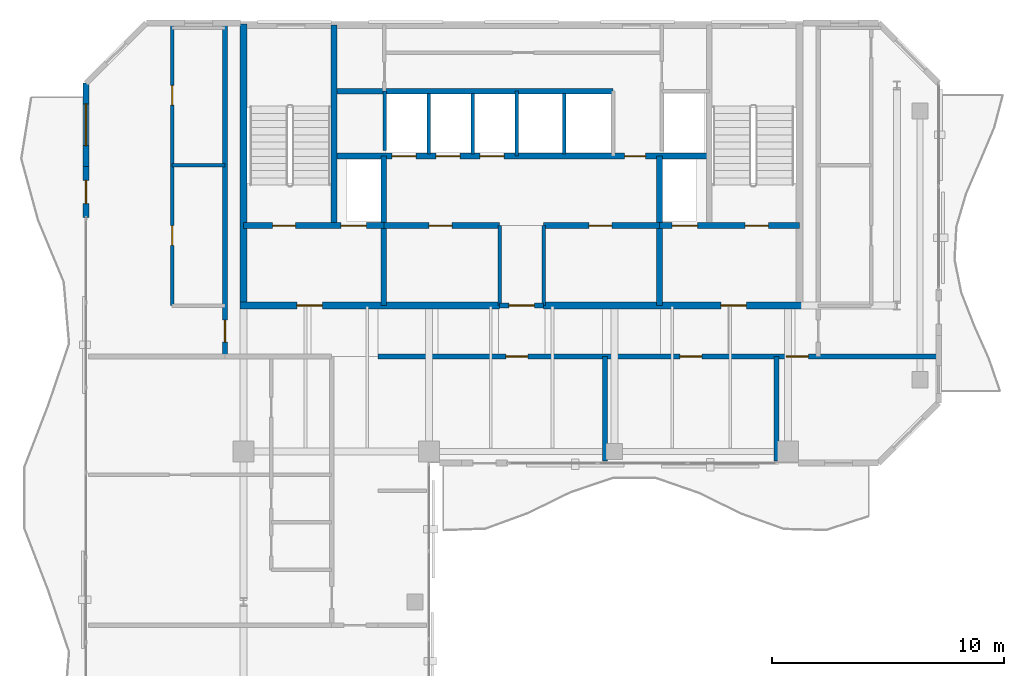
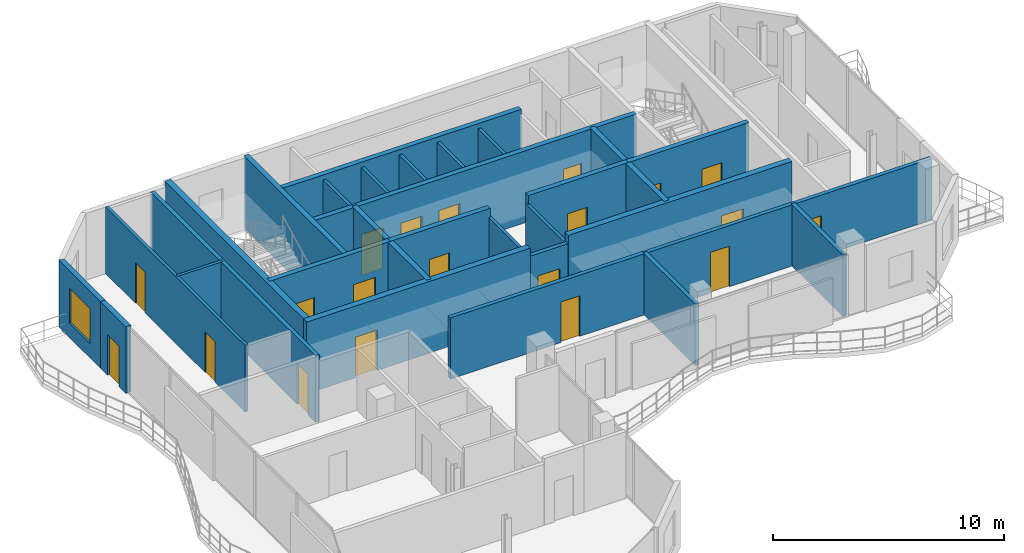
# One storey, part 13 of 17: 28 walls, 20 doors, 1 window, 21 openings.
"""IFC4 building model written with IfcOpenShell, lengths in metres."""

from ifc_helpers import new_model, si_unit, direction, frame, frame_2d, origin, place, context, subcontext, project, spatial, rectangle, extrude, material, layer, layer_set, type_object, element, fill, save


model = new_model("IFC4")

# Units and contexts
model_context = context("Model", 3, precision=1e-05, world=origin(), true_north=direction((0.0, 1.0)))
body_context = subcontext(model_context, "Body", "Model", "MODEL_VIEW")
ifc_project = project(units=[si_unit("LENGTHUNIT", "METRE"), si_unit("AREAUNIT", "SQUARE_METRE"), si_unit("VOLUMEUNIT", "CUBIC_METRE"), si_unit("PLANEANGLEUNIT", "RADIAN"), si_unit("MASSUNIT", "GRAM", prefix="KILO")], contexts=[model_context])

# Site, building, storey
site_placement = place(None, origin())
site = spatial("IfcSite", under=ifc_project, at=site_placement, CompositionType="ELEMENT")
building_placement = place(site_placement, origin())
building = spatial("IfcBuilding", under=site, at=building_placement, Name="Catumbela Crestline Tower", CompositionType="ELEMENT")
storey_placement = place(building_placement, frame((0.0, 0.0, 283.0)))
storey = spatial("IfcBuildingStorey", under=building, at=storey_placement, Name="L73", CompositionType="ELEMENT", Elevation=283.0)

# Walls
ifc_material_1 = material(Name="Concrete C50/60", Category="concrete")
ifc_layer_1 = layer(ifc_material_1, 0.25, Name="Concrete C50/60")
ifc_layer_set_1 = layer_set([ifc_layer_1], Name="Concrete C50/60")
wall_type_1 = type_object("IfcWallType", Name="CW-250D", PredefinedType="SHEAR", material=ifc_layer_set_1)
wall_1_placement = place(storey_placement, frame((19.9, 34.25, 0.0), z_axis=(0.0, 0.0, 1.0), x_axis=(0.0, 1.0, 0.0)))
element("IfcWall", 1, at=wall_1_placement, inside=storey, type_object=wall_type_1, Name="L73 Structural Core Shear Wall WWEB", PredefinedType="SHEAR", context=body_context, shape_type="SweptSolid", body=[
    extrude(rectangle(XDim=8.65, YDim=0.25, at=frame_2d((4.325, 0.0))), origin(), (0.0, 0.0, 1.0), 3.8),
])
for number, where, z_axis, x_axis, name in (
    (2, (22.05, 30.8, 0.0), (0.0, 0.0, 1.0), (0.0, 1.0, 0.0), "L73 Structural Core Shear Wall FFW"),
    (3, (33.95, 30.8, 0.0), (0.0, 0.0, 1.0), (0.0, 1.0, 0.0), "L73 Structural Core Shear Wall FFE"),
):
    element("IfcWall", number, at=place(storey_placement, frame(where, z_axis=z_axis, x_axis=x_axis)), inside=storey, type_object=wall_type_1, Name=name, PredefinedType="SHEAR", context=body_context, shape_type="SweptSolid", body=[
        extrude(rectangle(XDim=6.45, YDim=0.25, at=frame_2d((3.225, 0.0))), origin(), (0.0, 0.0, 1.0), 3.8),
    ])

# Wall, openings, doors
wall_2_placement = place(storey_placement, frame((16.0, 34.25, 0.0), z_axis=(0.0, 0.0, 1.0), x_axis=(1.0, 0.0, 0.0)))
wall_2 = element("IfcWall", 4, at=wall_2_placement, inside=storey, type_object=wall_type_1, Name="L73 Structural Core Shear Wall ST1S", PredefinedType="SHEAR", context=body_context, shape_type="SweptSolid", body=[
    extrude(rectangle(XDim=6.05, YDim=0.25, at=frame_2d((3.025, 0.0))), origin(), (0.0, 0.0, 1.0), 3.8),
])
opening_1_placement = place(wall_2_placement, frame((1.25, 0.0, 0.0)))
opening_1 = element("IfcOpeningElement", 5, at=opening_1_placement, cuts=wall_2, Name="Opening DF9-100", PredefinedType="OPENING", context=body_context, shape_type="SweptSolid", body=[
    extrude(rectangle(XDim=1.0, YDim=2.15, at=frame_2d((0.5, 1.075))), frame((0.0, 0.135, 0.0), z_axis=(0.0, -1.0, 0.0), x_axis=(1.0, 0.0, 0.0)), (0.0, 0.0, 1.0), 0.27),
])
opening_2_placement = place(wall_2_placement, frame((4.2, 0.0, 0.0)))
opening_2 = element("IfcOpeningElement", 6, at=opening_2_placement, cuts=wall_2, Name="Opening LD-110", PredefinedType="OPENING", context=body_context, shape_type="SweptSolid", body=[
    extrude(rectangle(XDim=1.1, YDim=2.15, at=frame_2d((0.55, 1.075))), frame((0.0, 0.135, 0.0), z_axis=(0.0, -1.0, 0.0), x_axis=(1.0, 0.0, 0.0)), (0.0, 0.0, 1.0), 0.27),
])
ifc_material_2 = material(Name="Stainless steel EN 1.4401", Category="steel")
door_type_1 = type_object("IfcDoorType", Name="DF9-100", OperationType="NOTDEFINED", PredefinedType="DOOR", material=ifc_material_2)
door_1_placement = place(opening_1_placement, origin())
door_1 = element("IfcDoor", 7, at=door_1_placement, inside=storey, type_object=door_type_1, Name="L73 Interior Door DR-L73-ST01", OperationType="SINGLE_SWING_LEFT", OverallHeight=2.15, OverallWidth=1.0, PredefinedType="DOOR", context=body_context, shape_type="SweptSolid", body=[
    extrude(rectangle(XDim=1.0, YDim=2.15, at=frame_2d((0.5, 1.075))), frame((0.0, 0.025, 0.0), z_axis=(0.0, -1.0, 0.0), x_axis=(1.0, 0.0, 0.0)), (0.0, 0.0, 1.0), 0.05),
])
fill(opening_1, door_1)
door_type_2 = type_object("IfcDoorType", Name="LD-110", OperationType="NOTDEFINED", PredefinedType="DOOR", material=ifc_material_2)
door_2_placement = place(opening_2_placement, origin())
door_2 = element("IfcDoor", 8, at=door_2_placement, inside=storey, type_object=door_type_2, Name="L73 Lift Landing Sliding Door FL-01", OperationType="DOUBLE_DOOR_SLIDING", OverallHeight=2.15, OverallWidth=1.1, PredefinedType="DOOR", context=body_context, shape_type="SweptSolid", body=[
    extrude(rectangle(XDim=1.1, YDim=2.15, at=frame_2d((0.55, 1.075))), frame((0.0, 0.025, 0.0), z_axis=(0.0, -1.0, 0.0), x_axis=(1.0, 0.0, 0.0)), (0.0, 0.0, 1.0), 0.05),
])
fill(opening_2, door_2)

wall_3_placement = place(storey_placement, frame((33.95, 34.25, 0.0), z_axis=(0.0, 0.0, 1.0), x_axis=(1.0, 0.0, 0.0)))
wall_3 = element("IfcWall", 9, at=wall_3_placement, inside=storey, type_object=wall_type_1, Name="L73 Structural Core Shear Wall ST2S", PredefinedType="SHEAR", context=body_context, shape_type="SweptSolid", body=[
    extrude(rectangle(XDim=6.05, YDim=0.25, at=frame_2d((3.025, 0.0))), origin(), (0.0, 0.0, 1.0), 3.8),
])
opening_3_placement = place(wall_3_placement, frame((3.7, 0.0, 0.0)))
opening_3 = element("IfcOpeningElement", 10, at=opening_3_placement, cuts=wall_3, Name="Opening DF9-100", PredefinedType="OPENING", context=body_context, shape_type="SweptSolid", body=[
    extrude(rectangle(XDim=1.0, YDim=2.15, at=frame_2d((0.5, 1.075))), frame((0.0, 0.135, 0.0), z_axis=(0.0, -1.0, 0.0), x_axis=(1.0, 0.0, 0.0)), (0.0, 0.0, 1.0), 0.27),
])
opening_4_placement = place(wall_3_placement, frame((0.55, 0.0, 0.0)))
opening_4 = element("IfcOpeningElement", 11, at=opening_4_placement, cuts=wall_3, Name="Opening LD-110", PredefinedType="OPENING", context=body_context, shape_type="SweptSolid", body=[
    extrude(rectangle(XDim=1.1, YDim=2.15, at=frame_2d((0.55, 1.075))), frame((0.0, 0.135, 0.0), z_axis=(0.0, -1.0, 0.0), x_axis=(1.0, 0.0, 0.0)), (0.0, 0.0, 1.0), 0.27),
])
door_3_placement = place(opening_3_placement, origin())
door_3 = element("IfcDoor", 12, at=door_3_placement, inside=storey, type_object=door_type_1, Name="L73 Interior Door DR-L73-ST02", OperationType="SINGLE_SWING_RIGHT", OverallHeight=2.15, OverallWidth=1.0, PredefinedType="DOOR", context=body_context, shape_type="SweptSolid", body=[
    extrude(rectangle(XDim=1.0, YDim=2.15, at=frame_2d((0.5, 1.075))), frame((0.0, 0.025, 0.0), z_axis=(0.0, -1.0, 0.0), x_axis=(1.0, 0.0, 0.0)), (0.0, 0.0, 1.0), 0.05),
])
fill(opening_3, door_3)
door_4_placement = place(opening_4_placement, origin())
door_4 = element("IfcDoor", 13, at=door_4_placement, inside=storey, type_object=door_type_2, Name="L73 Lift Landing Sliding Door FL-02", OperationType="DOUBLE_DOOR_SLIDING", OverallHeight=2.15, OverallWidth=1.1, PredefinedType="DOOR", context=body_context, shape_type="SweptSolid", body=[
    extrude(rectangle(XDim=1.1, YDim=2.15, at=frame_2d((0.55, 1.075))), frame((0.0, 0.025, 0.0), z_axis=(0.0, -1.0, 0.0), x_axis=(1.0, 0.0, 0.0)), (0.0, 0.0, 1.0), 0.05),
])
fill(opening_4, door_4)

# Wall, opening, door
wall_4_placement = place(storey_placement, frame((22.05, 34.25, 0.0), z_axis=(0.0, 0.0, 1.0), x_axis=(1.0, 0.0, 0.0)))
wall_4 = element("IfcWall", 14, at=wall_4_placement, inside=storey, type_object=wall_type_1, Name="L73 Structural Core Shear Wall LIFTS-W", PredefinedType="SHEAR", context=body_context, shape_type="SweptSolid", body=[
    extrude(rectangle(XDim=5.0, YDim=0.25, at=frame_2d((2.5, 0.0))), origin(), (0.0, 0.0, 1.0), 3.8),
])
opening_5_placement = place(wall_4_placement, frame((1.95, 0.0, 0.0)))
opening_5 = element("IfcOpeningElement", 15, at=opening_5_placement, cuts=wall_4, Name="Opening DF9-100", PredefinedType="OPENING", context=body_context, shape_type="SweptSolid", body=[
    extrude(rectangle(XDim=1.0, YDim=2.15, at=frame_2d((0.5, 1.075))), frame((0.0, 0.135, 0.0), z_axis=(0.0, -1.0, 0.0), x_axis=(1.0, 0.0, 0.0)), (0.0, 0.0, 1.0), 0.27),
])
door_5_placement = place(opening_5_placement, origin())
door_5 = element("IfcDoor", 16, at=door_5_placement, inside=storey, type_object=door_type_1, Name="L73 Interior Door DR-L73-RECL1", OperationType="SINGLE_SWING_LEFT", OverallHeight=2.15, OverallWidth=1.0, PredefinedType="DOOR", context=body_context, shape_type="SweptSolid", body=[
    extrude(rectangle(XDim=1.0, YDim=2.15, at=frame_2d((0.5, 1.075))), frame((0.0, 0.025, 0.0), z_axis=(0.0, -1.0, 0.0), x_axis=(1.0, 0.0, 0.0)), (0.0, 0.0, 1.0), 0.05),
])
fill(opening_5, door_5)

wall_5_placement = place(storey_placement, frame((28.95, 34.25, 0.0), z_axis=(0.0, 0.0, 1.0), x_axis=(1.0, 0.0, 0.0)))
wall_5 = element("IfcWall", 17, at=wall_5_placement, inside=storey, type_object=wall_type_1, Name="L73 Structural Core Shear Wall LIFTS-E", PredefinedType="SHEAR", context=body_context, shape_type="SweptSolid", body=[
    extrude(rectangle(XDim=5.0, YDim=0.25, at=frame_2d((2.5, 0.0))), origin(), (0.0, 0.0, 1.0), 3.8),
])
opening_6_placement = place(wall_5_placement, frame((1.95, 0.0, 0.0)))
opening_6 = element("IfcOpeningElement", 18, at=opening_6_placement, cuts=wall_5, Name="Opening DF9-100", PredefinedType="OPENING", context=body_context, shape_type="SweptSolid", body=[
    extrude(rectangle(XDim=1.0, YDim=2.15, at=frame_2d((0.5, 1.075))), frame((0.0, 0.135, 0.0), z_axis=(0.0, -1.0, 0.0), x_axis=(1.0, 0.0, 0.0)), (0.0, 0.0, 1.0), 0.27),
])
door_6_placement = place(opening_6_placement, origin())
door_6 = element("IfcDoor", 19, at=door_6_placement, inside=storey, type_object=door_type_1, Name="L73 Interior Door DR-L73-RECL2", OperationType="SINGLE_SWING_RIGHT", OverallHeight=2.15, OverallWidth=1.0, PredefinedType="DOOR", context=body_context, shape_type="SweptSolid", body=[
    extrude(rectangle(XDim=1.0, YDim=2.15, at=frame_2d((0.5, 1.075))), frame((0.0, 0.025, 0.0), z_axis=(0.0, -1.0, 0.0), x_axis=(1.0, 0.0, 0.0)), (0.0, 0.0, 1.0), 0.05),
])
fill(opening_6, door_6)

# Wall, openings, doors
wall_6_placement = place(storey_placement, frame((19.9, 37.25, 0.0), z_axis=(0.0, 0.0, 1.0), x_axis=(1.0, 0.0, 0.0)))
wall_6 = element("IfcWall", 20, at=wall_6_placement, inside=storey, type_object=wall_type_1, Name="L73 Structural Core Shear Wall LIFTN", PredefinedType="SHEAR", context=body_context, shape_type="SweptSolid", body=[
    extrude(rectangle(XDim=16.2, YDim=0.25, at=frame_2d((8.1, 0.0))), origin(), (0.0, 0.0, 1.0), 3.8),
])
opening_7_placement = place(wall_6_placement, frame((12.55, 0.0, 0.0)))
opening_7 = element("IfcOpeningElement", 21, at=opening_7_placement, cuts=wall_6, Name="Opening DF9-090", PredefinedType="OPENING", context=body_context, shape_type="SweptSolid", body=[
    extrude(rectangle(XDim=0.9, YDim=2.15, at=frame_2d((0.45, 1.075))), frame((0.0, 0.135, 0.0), z_axis=(0.0, -1.0, 0.0), x_axis=(1.0, 0.0, 0.0)), (0.0, 0.0, 1.0), 0.27),
])
opening_8_placement = place(wall_6_placement, frame((2.5, 0.0, 0.0)))
opening_8 = element("IfcOpeningElement", 22, at=opening_8_placement, cuts=wall_6, Name="Opening LD-105", PredefinedType="OPENING", context=body_context, shape_type="SweptSolid", body=[
    extrude(rectangle(XDim=1.05, YDim=2.15, at=frame_2d((0.525, 1.075))), frame((0.0, 0.135, 0.0), z_axis=(0.0, -1.0, 0.0), x_axis=(1.0, 0.0, 0.0)), (0.0, 0.0, 1.0), 0.27),
])
opening_9_placement = place(wall_6_placement, frame((4.4, 0.0, 0.0)))
opening_9 = element("IfcOpeningElement", 23, at=opening_9_placement, cuts=wall_6, Name="Opening LD-105", PredefinedType="OPENING", context=body_context, shape_type="SweptSolid", body=[
    extrude(rectangle(XDim=1.05, YDim=2.15, at=frame_2d((0.525, 1.075))), frame((0.0, 0.135, 0.0), z_axis=(0.0, -1.0, 0.0), x_axis=(1.0, 0.0, 0.0)), (0.0, 0.0, 1.0), 0.27),
])
opening_10_placement = place(wall_6_placement, frame((6.3, 0.0, 0.0)))
opening_10 = element("IfcOpeningElement", 24, at=opening_10_placement, cuts=wall_6, Name="Opening LD-105", PredefinedType="OPENING", context=body_context, shape_type="SweptSolid", body=[
    extrude(rectangle(XDim=1.05, YDim=2.15, at=frame_2d((0.525, 1.075))), frame((0.0, 0.135, 0.0), z_axis=(0.0, -1.0, 0.0), x_axis=(1.0, 0.0, 0.0)), (0.0, 0.0, 1.0), 0.27),
])
door_type_3 = type_object("IfcDoorType", Name="DF9-090", OperationType="NOTDEFINED", PredefinedType="DOOR", material=ifc_material_2)
door_7_placement = place(opening_7_placement, origin())
door_7 = element("IfcDoor", 25, at=door_7_placement, inside=storey, type_object=door_type_3, Name="L73 Interior Door DR-L73-CPAS1", OperationType="SINGLE_SWING_LEFT", OverallHeight=2.15, OverallWidth=0.9, PredefinedType="DOOR", context=body_context, shape_type="SweptSolid", body=[
    extrude(rectangle(XDim=0.9, YDim=2.15, at=frame_2d((0.45, 1.075))), frame((0.0, 0.025, 0.0), z_axis=(0.0, -1.0, 0.0), x_axis=(1.0, 0.0, 0.0)), (0.0, 0.0, 1.0), 0.05),
])
fill(opening_7, door_7)
door_type_4 = type_object("IfcDoorType", Name="LD-105", OperationType="NOTDEFINED", PredefinedType="DOOR", material=ifc_material_2)
door_8_placement = place(opening_8_placement, origin())
door_8 = element("IfcDoor", 26, at=door_8_placement, inside=storey, type_object=door_type_4, Name="L73 Lift Landing Sliding Door PL-H1", OperationType="DOUBLE_DOOR_SLIDING", OverallHeight=2.15, OverallWidth=1.05, PredefinedType="DOOR", context=body_context, shape_type="SweptSolid", body=[
    extrude(rectangle(XDim=1.05, YDim=2.15, at=frame_2d((0.525, 1.075))), frame((0.0, 0.025, 0.0), z_axis=(0.0, -1.0, 0.0), x_axis=(1.0, 0.0, 0.0)), (0.0, 0.0, 1.0), 0.05),
])
fill(opening_8, door_8)
door_9_placement = place(opening_9_placement, origin())
door_9 = element("IfcDoor", 27, at=door_9_placement, inside=storey, type_object=door_type_4, Name="L73 Lift Landing Sliding Door PL-H2", OperationType="DOUBLE_DOOR_SLIDING", OverallHeight=2.15, OverallWidth=1.05, PredefinedType="DOOR", context=body_context, shape_type="SweptSolid", body=[
    extrude(rectangle(XDim=1.05, YDim=2.15, at=frame_2d((0.525, 1.075))), frame((0.0, 0.025, 0.0), z_axis=(0.0, -1.0, 0.0), x_axis=(1.0, 0.0, 0.0)), (0.0, 0.0, 1.0), 0.05),
])
fill(opening_9, door_9)
door_10_placement = place(opening_10_placement, origin())
door_10 = element("IfcDoor", 28, at=door_10_placement, inside=storey, type_object=door_type_4, Name="L73 Lift Landing Sliding Door PL-H3", OperationType="DOUBLE_DOOR_SLIDING", OverallHeight=2.15, OverallWidth=1.05, PredefinedType="DOOR", context=body_context, shape_type="SweptSolid", body=[
    extrude(rectangle(XDim=1.05, YDim=2.15, at=frame_2d((0.525, 1.075))), frame((0.0, 0.025, 0.0), z_axis=(0.0, -1.0, 0.0), x_axis=(1.0, 0.0, 0.0)), (0.0, 0.0, 1.0), 0.05),
])
fill(opening_10, door_10)

# Walls
wall_7_placement = place(storey_placement, frame((19.9, 40.05, 0.0), z_axis=(0.0, 0.0, 1.0), x_axis=(1.0, 0.0, 0.0)))
element("IfcWall", 29, at=wall_7_placement, inside=storey, type_object=wall_type_1, Name="L73 Structural Core Shear Wall COREN", PredefinedType="SHEAR", context=body_context, shape_type="SweptSolid", body=[
    extrude(rectangle(XDim=12.05, YDim=0.25, at=frame_2d((6.025, 0.0))), origin(), (0.0, 0.0, 1.0), 3.8),
])
ifc_material_3 = material(Name="Concrete C45/55", Category="concrete")
ifc_layer_2 = layer(ifc_material_3, 0.3, Name="Concrete C45/55")
ifc_layer_set_2 = layer_set([ifc_layer_2], Name="Concrete C45/55")
wall_type_2 = type_object("IfcWallType", Name="CW-300C", PredefinedType="SHEAR", material=ifc_layer_set_2)
wall_8_placement = place(storey_placement, frame((16.0, 30.65, 0.0), z_axis=(0.0, 0.0, 1.0), x_axis=(0.0, 1.0, 0.0)))
element("IfcWall", 30, at=wall_8_placement, inside=storey, type_object=wall_type_2, Name="L73 Structural Core Shear Wall W", PredefinedType="SHEAR", context=body_context, shape_type="SweptSolid", body=[
    extrude(rectangle(XDim=12.3, YDim=0.3, at=frame_2d((6.15, 0.0))), origin(), (0.0, 0.0, 1.0), 3.8),
])

# Wall, opening, door
wall_9_placement = place(storey_placement, frame((15.85, 30.8, 0.0), z_axis=(0.0, 0.0, 1.0), x_axis=(1.0, 0.0, 0.0)))
wall_9 = element("IfcWall", 31, at=wall_9_placement, inside=storey, type_object=wall_type_2, Name="L73 Structural Core Shear Wall SW", PredefinedType="SHEAR", context=body_context, shape_type="SweptSolid", body=[
    extrude(rectangle(XDim=11.2, YDim=0.3, at=frame_2d((5.6, 0.0))), origin(), (0.0, 0.0, 1.0), 3.8),
])
opening_11_placement = place(wall_9_placement, frame((2.45, 0.0, 0.0)))
opening_11 = element("IfcOpeningElement", 32, at=opening_11_placement, cuts=wall_9, Name="Opening DF9-110", PredefinedType="OPENING", context=body_context, shape_type="SweptSolid", body=[
    extrude(rectangle(XDim=1.1, YDim=2.15, at=frame_2d((0.55, 1.075))), frame((0.0, 0.16, 0.0), z_axis=(0.0, -1.0, 0.0), x_axis=(1.0, 0.0, 0.0)), (0.0, 0.0, 1.0), 0.32),
])
door_type_5 = type_object("IfcDoorType", Name="DF9-110", OperationType="NOTDEFINED", PredefinedType="DOOR", material=ifc_material_2)
door_11_placement = place(opening_11_placement, origin())
door_11 = element("IfcDoor", 33, at=door_11_placement, inside=storey, type_object=door_type_5, Name="L73 Interior Door DR-L73-FFW-S", OperationType="SINGLE_SWING_LEFT", OverallHeight=2.15, OverallWidth=1.1, PredefinedType="DOOR", context=body_context, shape_type="SweptSolid", body=[
    extrude(rectangle(XDim=1.1, YDim=2.15, at=frame_2d((0.55, 1.075))), frame((0.0, 0.025, 0.0), z_axis=(0.0, -1.0, 0.0), x_axis=(1.0, 0.0, 0.0)), (0.0, 0.0, 1.0), 0.05),
])
fill(opening_11, door_11)

wall_10_placement = place(storey_placement, frame((28.95, 30.8, 0.0), z_axis=(0.0, 0.0, 1.0), x_axis=(1.0, 0.0, 0.0)))
wall_10 = element("IfcWall", 34, at=wall_10_placement, inside=storey, type_object=wall_type_2, Name="L73 Structural Core Shear Wall SE", PredefinedType="SHEAR", context=body_context, shape_type="SweptSolid", body=[
    extrude(rectangle(XDim=11.2, YDim=0.3, at=frame_2d((5.6, 0.0))), origin(), (0.0, 0.0, 1.0), 3.8),
])
opening_12_placement = place(wall_10_placement, frame((7.65, 0.0, 0.0)))
opening_12 = element("IfcOpeningElement", 35, at=opening_12_placement, cuts=wall_10, Name="Opening DF9-110", PredefinedType="OPENING", context=body_context, shape_type="SweptSolid", body=[
    extrude(rectangle(XDim=1.1, YDim=2.15, at=frame_2d((0.55, 1.075))), frame((0.0, 0.16, 0.0), z_axis=(0.0, -1.0, 0.0), x_axis=(1.0, 0.0, 0.0)), (0.0, 0.0, 1.0), 0.32),
])
door_12_placement = place(opening_12_placement, origin())
door_12 = element("IfcDoor", 36, at=door_12_placement, inside=storey, type_object=door_type_5, Name="L73 Interior Door DR-L73-FFE-S", OperationType="SINGLE_SWING_RIGHT", OverallHeight=2.15, OverallWidth=1.1, PredefinedType="DOOR", context=body_context, shape_type="SweptSolid", body=[
    extrude(rectangle(XDim=1.1, YDim=2.15, at=frame_2d((0.55, 1.075))), frame((0.0, 0.025, 0.0), z_axis=(0.0, -1.0, 0.0), x_axis=(1.0, 0.0, 0.0)), (0.0, 0.0, 1.0), 0.05),
])
fill(opening_12, door_12)

ifc_material_4 = material(Name="Acoustic gypsum and mineral-wool partition")
ifc_layer_3 = layer(ifc_material_4, 0.2, Name="Acoustic gypsum and mineral-wool partition")
ifc_layer_set_3 = layer_set([ifc_layer_3], Name="Acoustic gypsum and mineral-wool partition")
wall_type_3 = type_object("IfcWallType", Name="WC-200", PredefinedType="PARTITIONING", material=ifc_layer_set_3)
wall_11_placement = place(storey_placement, frame((27.05, 30.8, 0.0), z_axis=(0.0, 0.0, 1.0), x_axis=(1.0, 0.0, 0.0)))
wall_11 = element("IfcWall", 37, at=wall_11_placement, inside=storey, type_object=wall_type_3, Name="L73 Interior Partition PW-L73-CLOBS", PredefinedType="PARTITIONING", context=body_context, shape_type="SweptSolid", body=[
    extrude(rectangle(XDim=1.9, YDim=0.2, at=frame_2d((0.95, 0.0))), origin(), (0.0, 0.0, 1.0), 3.33),
])
opening_13_placement = place(wall_11_placement, frame((0.4, 0.0, 0.0)))
opening_13 = element("IfcOpeningElement", 38, at=opening_13_placement, cuts=wall_11, Name="Opening DF9-110", PredefinedType="OPENING", context=body_context, shape_type="SweptSolid", body=[
    extrude(rectangle(XDim=1.1, YDim=2.15, at=frame_2d((0.55, 1.075))), frame((0.0, 0.11, 0.0), z_axis=(0.0, -1.0, 0.0), x_axis=(1.0, 0.0, 0.0)), (0.0, 0.0, 1.0), 0.22),
])
door_13_placement = place(opening_13_placement, origin())
door_13 = element("IfcDoor", 39, at=door_13_placement, inside=storey, type_object=door_type_5, Name="L73 Interior Door DR-L73-CLOBS", OperationType="SINGLE_SWING_LEFT", OverallHeight=2.15, OverallWidth=1.1, PredefinedType="DOOR", context=body_context, shape_type="SweptSolid", body=[
    extrude(rectangle(XDim=1.1, YDim=2.15, at=frame_2d((0.55, 1.075))), frame((0.0, 0.025, 0.0), z_axis=(0.0, -1.0, 0.0), x_axis=(1.0, 0.0, 0.0)), (0.0, 0.0, 1.0), 0.05),
])
fill(opening_13, door_13)

# Wall, openings, doors
wall_12_placement = place(storey_placement, frame((21.8, 28.6, 0.0), z_axis=(0.0, 0.0, 1.0), x_axis=(1.0, 0.0, 0.0)))
wall_12 = element("IfcWall", 40, at=wall_12_placement, inside=storey, type_object=wall_type_3, Name="L73 Interior Partition PW-L73-RCWR", PredefinedType="PARTITIONING", context=body_context, shape_type="SweptSolid", body=[
    extrude(rectangle(XDim=24.1, YDim=0.2, at=frame_2d((12.05, 0.0))), origin(), (0.0, 0.0, 1.0), 3.24),
])
opening_14_placement = place(wall_12_placement, frame((5.525, 0.0, 0.0)))
opening_14 = element("IfcOpeningElement", 41, at=opening_14_placement, cuts=wall_12, Name="Opening DF6-095", PredefinedType="OPENING", context=body_context, shape_type="SweptSolid", body=[
    extrude(rectangle(XDim=0.95, YDim=2.15, at=frame_2d((0.475, 1.075))), frame((0.0, 0.11, 0.0), z_axis=(0.0, -1.0, 0.0), x_axis=(1.0, 0.0, 0.0)), (0.0, 0.0, 1.0), 0.22),
])
opening_15_placement = place(wall_12_placement, frame((13.025, 0.0, 0.0)))
opening_15 = element("IfcOpeningElement", 42, at=opening_15_placement, cuts=wall_12, Name="Opening DF6-095", PredefinedType="OPENING", context=body_context, shape_type="SweptSolid", body=[
    extrude(rectangle(XDim=0.95, YDim=2.15, at=frame_2d((0.475, 1.075))), frame((0.0, 0.11, 0.0), z_axis=(0.0, -1.0, 0.0), x_axis=(1.0, 0.0, 0.0)), (0.0, 0.0, 1.0), 0.22),
])
opening_16_placement = place(wall_12_placement, frame((17.625, 0.0, 0.0)))
opening_16 = element("IfcOpeningElement", 43, at=opening_16_placement, cuts=wall_12, Name="Opening DF6-095", PredefinedType="OPENING", context=body_context, shape_type="SweptSolid", body=[
    extrude(rectangle(XDim=0.95, YDim=2.15, at=frame_2d((0.475, 1.075))), frame((0.0, 0.11, 0.0), z_axis=(0.0, -1.0, 0.0), x_axis=(1.0, 0.0, 0.0)), (0.0, 0.0, 1.0), 0.22),
])
ifc_material_5 = material(Name="Aluminium alloy AW-6060-T66", Category="aluminium")
door_type_6 = type_object("IfcDoorType", Name="DF6-095", OperationType="NOTDEFINED", PredefinedType="DOOR", material=ifc_material_5)
door_14_placement = place(opening_14_placement, origin())
door_14 = element("IfcDoor", 44, at=door_14_placement, inside=storey, type_object=door_type_6, Name="L73 Interior Door DR-L73-Z4G6S1-ENT", OperationType="SINGLE_SWING_RIGHT", OverallHeight=2.15, OverallWidth=0.95, PredefinedType="DOOR", context=body_context, shape_type="SweptSolid", body=[
    extrude(rectangle(XDim=0.95, YDim=2.15, at=frame_2d((0.475, 1.075))), frame((0.0, 0.025, 0.0), z_axis=(0.0, -1.0, 0.0), x_axis=(1.0, 0.0, 0.0)), (0.0, 0.0, 1.0), 0.05),
])
fill(opening_14, door_14)
door_15_placement = place(opening_15_placement, origin())
door_15 = element("IfcDoor", 45, at=door_15_placement, inside=storey, type_object=door_type_6, Name="L73 Interior Door DR-L73-Z4G6S2-ENT", OperationType="SINGLE_SWING_LEFT", OverallHeight=2.15, OverallWidth=0.95, PredefinedType="DOOR", context=body_context, shape_type="SweptSolid", body=[
    extrude(rectangle(XDim=0.95, YDim=2.15, at=frame_2d((0.475, 1.075))), frame((0.0, 0.025, 0.0), z_axis=(0.0, -1.0, 0.0), x_axis=(1.0, 0.0, 0.0)), (0.0, 0.0, 1.0), 0.05),
])
fill(opening_15, door_15)
door_16_placement = place(opening_16_placement, origin())
door_16 = element("IfcDoor", 46, at=door_16_placement, inside=storey, type_object=door_type_6, Name="L73 Interior Door DR-L73-Z4G6S3-ENT", OperationType="SINGLE_SWING_RIGHT", OverallHeight=2.15, OverallWidth=0.95, PredefinedType="DOOR", context=body_context, shape_type="SweptSolid", body=[
    extrude(rectangle(XDim=0.95, YDim=2.15, at=frame_2d((0.475, 1.075))), frame((0.0, 0.025, 0.0), z_axis=(0.0, -1.0, 0.0), x_axis=(1.0, 0.0, 0.0)), (0.0, 0.0, 1.0), 0.05),
])
fill(opening_16, door_16)

# Wall, opening, door
wall_13_placement = place(storey_placement, frame((15.2, 28.6, 0.0), z_axis=(0.0, 0.0, 1.0), x_axis=(0.0, 1.0, 0.0)))
wall_13 = element("IfcWall", 47, at=wall_13_placement, inside=storey, type_object=wall_type_3, Name="L73 Interior Partition PW-L73-NW1-ENT", PredefinedType="PARTITIONING", context=body_context, shape_type="SweptSolid", body=[
    extrude(rectangle(XDim=14.3, YDim=0.2, at=frame_2d((7.15, 0.0))), origin(), (0.0, 0.0, 1.0), 3.53),
])
opening_17_placement = place(wall_13_placement, frame((0.625, 0.0, 0.0)))
opening_17 = element("IfcOpeningElement", 48, at=opening_17_placement, cuts=wall_13, Name="Opening DF6-095", PredefinedType="OPENING", context=body_context, shape_type="SweptSolid", body=[
    extrude(rectangle(XDim=0.95, YDim=2.15, at=frame_2d((0.475, 1.075))), frame((0.0, 0.11, 0.0), z_axis=(0.0, -1.0, 0.0), x_axis=(1.0, 0.0, 0.0)), (0.0, 0.0, 1.0), 0.22),
])
door_17_placement = place(opening_17_placement, origin())
door_17 = element("IfcDoor", 49, at=door_17_placement, inside=storey, type_object=door_type_6, Name="L73 Interior Door DR-L73-NW1-ENT", OperationType="SINGLE_SWING_LEFT", OverallHeight=2.15, OverallWidth=0.95, PredefinedType="DOOR", context=body_context, shape_type="SweptSolid", body=[
    extrude(rectangle(XDim=0.95, YDim=2.15, at=frame_2d((0.475, 1.075))), frame((0.0, 0.025, 0.0), z_axis=(0.0, -1.0, 0.0), x_axis=(1.0, 0.0, 0.0)), (0.0, 0.0, 1.0), 0.05),
])
fill(opening_17, door_17)

ifc_material_6 = material(Name="Angolan grey-ochre granite", Category="masonry")
ifc_layer_4 = layer(ifc_material_6, 0.25, Name="Angolan grey-ochre granite")
ifc_layer_set_4 = layer_set([ifc_layer_4], Name="Angolan grey-ochre granite")
wall_type_4 = type_object("IfcWallType", Name="WE-250", PredefinedType="STANDARD", material=ifc_layer_set_4)
wall_14_placement = place(storey_placement, frame((9.2, 36.8, 0.0), z_axis=(0.0, 0.0, 1.0), x_axis=(0.0, -1.0, 0.0)))
wall_14 = element("IfcWall", 50, at=wall_14_placement, inside=storey, type_object=wall_type_4, Name="L73 Exterior Threshold Portal Wall DR-L73-WBAL-4", PredefinedType="STANDARD", context=body_context, shape_type="SweptSolid", body=[
    extrude(rectangle(XDim=2.2, YDim=0.25, at=frame_2d((1.1, 0.0))), origin(), (0.0, 0.0, 1.0), 3.53),
])
opening_18_placement = place(wall_14_placement, frame((0.6, 0.0, 0.0)))
opening_18 = element("IfcOpeningElement", 51, at=opening_18_placement, cuts=wall_14, Name="Opening DB-L73-4", PredefinedType="OPENING", context=body_context, shape_type="SweptSolid", body=[
    extrude(rectangle(XDim=1.0, YDim=2.15, at=frame_2d((0.5, 1.075))), frame((0.0, 0.135, 0.0), z_axis=(0.0, -1.0, 0.0), x_axis=(1.0, 0.0, 0.0)), (0.0, 0.0, 1.0), 0.27),
])
door_type_7 = type_object("IfcDoorType", Name="DB-1000", OperationType="NOTDEFINED", PredefinedType="DOOR", material=ifc_material_5)
door_18_placement = place(opening_18_placement, origin())
door_18 = element("IfcDoor", 52, at=door_18_placement, inside=storey, type_object=door_type_7, Name="L73 Wave Balcony Terrace Door 4", OperationType="SINGLE_SWING_RIGHT", OverallHeight=2.15, OverallWidth=1.0, PredefinedType="DOOR", context=body_context, shape_type="SweptSolid", body=[
    extrude(rectangle(XDim=1.0, YDim=2.15, at=frame_2d((0.5, 1.075))), frame((0.0, 0.025, 0.0), z_axis=(0.0, -1.0, 0.0), x_axis=(1.0, 0.0, 0.0)), (0.0, 0.0, 1.0), 0.05),
])
fill(opening_18, door_18)

# Wall, opening, window
wall_15_placement = place(storey_placement, frame((9.2, 40.4, 0.0), z_axis=(0.0, 0.0, 1.0), x_axis=(0.0, -1.0, 0.0)))
wall_15 = element("IfcWall", 53, at=wall_15_placement, inside=storey, type_object=wall_type_4, Name="L73 Granite Punched Window Wall 9-1", PredefinedType="STANDARD", context=body_context, shape_type="SweptSolid", body=[
    extrude(rectangle(XDim=3.6, YDim=0.25, at=frame_2d((1.8, 0.0))), origin(), (0.0, 0.0, 1.0), 3.53),
])
opening_19_placement = place(wall_15_placement, frame((0.9, 0.0, 0.75)))
opening_19 = element("IfcOpeningElement", 54, at=opening_19_placement, cuts=wall_15, Name="Opening WN-01", PredefinedType="OPENING", context=body_context, shape_type="SweptSolid", body=[
    extrude(rectangle(XDim=1.8, YDim=1.85, at=frame_2d((0.9, 0.925))), frame((0.0, 0.135, 0.0), z_axis=(0.0, -1.0, 0.0), x_axis=(1.0, 0.0, 0.0)), (0.0, 0.0, 1.0), 0.27),
])
ifc_material_7 = material(Name="Low-E laminated solar-control double glazing", Category="glass")
window_type = type_object("IfcWindowType", Name="WF-1800", PartitioningType="SINGLE_PANEL", PredefinedType="WINDOW", material=ifc_material_7)
window_placement = place(opening_19_placement, origin())
window = element("IfcWindow", 55, at=window_placement, inside=storey, type_object=window_type, Name="L73 Facade Vision Window 599", OverallHeight=1.85, OverallWidth=1.8, PartitioningType="SINGLE_PANEL", PredefinedType="WINDOW", context=body_context, shape_type="SweptSolid", body=[
    extrude(rectangle(XDim=1.8, YDim=1.85, at=frame_2d((0.9, 0.925))), frame((0.0, 0.03, 0.0), z_axis=(0.0, -1.0, 0.0), x_axis=(1.0, 0.0, 0.0)), (0.0, 0.0, 1.0), 0.06),
])
fill(opening_19, window)

# Wall
ifc_layer_5 = layer(ifc_material_4, 0.15, Name="Acoustic gypsum and mineral-wool partition")
ifc_layer_set_5 = layer_set([ifc_layer_5], Name="Acoustic gypsum and mineral-wool partition")
wall_type_5 = type_object("IfcWallType", Name="WP-150", PredefinedType="PARTITIONING", material=ifc_layer_set_5)
wall_16_placement = place(storey_placement, frame((12.92, 36.85, 0.0), z_axis=(0.0, 0.0, 1.0), x_axis=(1.0, 0.0, 0.0)))
element("IfcWall", 56, at=wall_16_placement, inside=storey, type_object=wall_type_5, Name="L73 Interior Partition PW-L73-NW1-KBM", PredefinedType="PARTITIONING", context=body_context, shape_type="SweptSolid", body=[
    extrude(rectangle(XDim=2.28, YDim=0.15, at=frame_2d((1.14, 0.0))), origin(), (0.0, 0.0, 1.0), 3.53),
])

# Wall, openings, doors
wall_17_placement = place(storey_placement, frame((12.92, 30.8, 0.0), z_axis=(0.0, 0.0, 1.0), x_axis=(0.0, 1.0, 0.0)))
wall_17 = element("IfcWall", 57, at=wall_17_placement, inside=storey, type_object=wall_type_5, Name="L73 Interior Partition PW-L73-NW1-SK1", PredefinedType="PARTITIONING", context=body_context, shape_type="SweptSolid", body=[
    extrude(rectangle(XDim=12.1, YDim=0.15, at=frame_2d((6.05, 0.0))), origin(), (0.0, 0.0, 1.0), 3.53),
])
opening_20_placement = place(wall_17_placement, frame((2.6, 0.0, 0.0)))
opening_20 = element("IfcOpeningElement", 58, at=opening_20_placement, cuts=wall_17, Name="Opening DI-085", PredefinedType="OPENING", context=body_context, shape_type="SweptSolid", body=[
    extrude(rectangle(XDim=0.85, YDim=2.15, at=frame_2d((0.425, 1.075))), frame((0.0, 0.085, 0.0), z_axis=(0.0, -1.0, 0.0), x_axis=(1.0, 0.0, 0.0)), (0.0, 0.0, 1.0), 0.17),
])
opening_21_placement = place(wall_17_placement, frame((8.65, 0.0, 0.0)))
opening_21 = element("IfcOpeningElement", 59, at=opening_21_placement, cuts=wall_17, Name="Opening DI-085", PredefinedType="OPENING", context=body_context, shape_type="SweptSolid", body=[
    extrude(rectangle(XDim=0.85, YDim=2.15, at=frame_2d((0.425, 1.075))), frame((0.0, 0.085, 0.0), z_axis=(0.0, -1.0, 0.0), x_axis=(1.0, 0.0, 0.0)), (0.0, 0.0, 1.0), 0.17),
])
door_type_8 = type_object("IfcDoorType", Name="DI-085", OperationType="NOTDEFINED", PredefinedType="DOOR", material=ifc_material_5)
door_19_placement = place(opening_20_placement, origin())
door_19 = element("IfcDoor", 60, at=door_19_placement, inside=storey, type_object=door_type_8, Name="L73 Interior Door DR-L73-NW1-KIT", OperationType="SINGLE_SWING_LEFT", OverallHeight=2.15, OverallWidth=0.85, PredefinedType="DOOR", context=body_context, shape_type="SweptSolid", body=[
    extrude(rectangle(XDim=0.85, YDim=2.15, at=frame_2d((0.425, 1.075))), frame((0.0, 0.025, 0.0), z_axis=(0.0, -1.0, 0.0), x_axis=(1.0, 0.0, 0.0)), (0.0, 0.0, 1.0), 0.05),
])
fill(opening_20, door_19)
door_20_placement = place(opening_21_placement, origin())
door_20 = element("IfcDoor", 61, at=door_20_placement, inside=storey, type_object=door_type_8, Name="L73 Interior Door DR-L73-NW1-BTH", OperationType="SINGLE_SWING_RIGHT", OverallHeight=2.15, OverallWidth=0.85, PredefinedType="DOOR", context=body_context, shape_type="SweptSolid", body=[
    extrude(rectangle(XDim=0.85, YDim=2.15, at=frame_2d((0.425, 1.075))), frame((0.0, 0.025, 0.0), z_axis=(0.0, -1.0, 0.0), x_axis=(1.0, 0.0, 0.0)), (0.0, 0.0, 1.0), 0.05),
])
fill(opening_21, door_20)

# Walls
ifc_layer_6 = layer(ifc_material_4, 0.2, Name="Acoustic gypsum and mineral-wool partition")
ifc_layer_set_6 = layer_set([ifc_layer_6], Name="Acoustic gypsum and mineral-wool partition")
wall_type_6 = type_object("IfcWallType", Name="WY-200", PredefinedType="PARTITIONING", material=ifc_layer_set_6)
for number, where, z_axis, x_axis, name in (
    (62, (31.6, 24.1, 0.0), (0.0, 0.0, 1.0), (0.0, 1.0, 0.0), "L73 Interior Partition PW-L73-RSPP-2"),
    (63, (39.0, 24.1, 0.0), (0.0, 0.0, 1.0), (0.0, 1.0, 0.0), "L73 Interior Partition PW-L73-RSPP-3"),
):
    element("IfcWall", number, at=place(storey_placement, frame(where, z_axis=z_axis, x_axis=x_axis)), inside=storey, type_object=wall_type_6, Name=name, PredefinedType="PARTITIONING", context=body_context, shape_type="SweptSolid", body=[
        extrude(rectangle(XDim=4.5, YDim=0.2, at=frame_2d((2.25, 0.0))), origin(), (0.0, 0.0, 1.0), 3.24),
    ])
ifc_layer_7 = layer(ifc_material_4, 0.15, Name="Acoustic gypsum and mineral-wool partition")
ifc_layer_set_7 = layer_set([ifc_layer_7], Name="Acoustic gypsum and mineral-wool partition")
wall_type_7 = type_object("IfcWallType", Name="WS-150", PredefinedType="PLUMBINGWALL", material=ifc_layer_set_7)
for number, where, z_axis, x_axis, name in (
    (64, (27.05, 30.8, 0.0), (0.0, 0.0, 1.0), (0.0, 1.0, 0.0), "L73 Interior Partition PW-L73-THRW"),
    (65, (28.95, 30.8, 0.0), (0.0, 0.0, 1.0), (0.0, 1.0, 0.0), "L73 Interior Partition PW-L73-THRE"),
):
    element("IfcWall", number, at=place(storey_placement, frame(where, z_axis=z_axis, x_axis=x_axis)), inside=storey, type_object=wall_type_7, Name=name, PredefinedType="PLUMBINGWALL", context=body_context, shape_type="SweptSolid", body=[
        extrude(rectangle(XDim=3.45, YDim=0.15, at=frame_2d((1.725, 0.0))), origin(), (0.0, 0.0, 1.0), 3.33),
    ])
wall_18_placement = place(storey_placement, frame((22.1, 37.4897, 0.0), z_axis=(0.0, 0.0, 1.0), x_axis=(0.0, 1.0, 0.0)))
element("IfcWall", 66, at=wall_18_placement, inside=storey, type_object=wall_type_7, Name="L73 Interior Partition PW-L73-SHH0", PredefinedType="PLUMBINGWALL", context=body_context, shape_type="SweptSolid", body=[
    extrude(rectangle(XDim=2.5603, YDim=0.15, at=frame_2d((1.2801, 0.0))), origin(), (0.0, 0.0, 1.0), 3.53),
])
wall_19_placement = place(storey_placement, frame((27.8, 37.25, 0.0), z_axis=(0.0, 0.0, 1.0), x_axis=(0.0, 1.0, 0.0)))
element("IfcWall", 67, at=wall_19_placement, inside=storey, type_object=wall_type_7, Name="L73 Interior Partition PW-L73-SHH3", PredefinedType="PLUMBINGWALL", context=body_context, shape_type="SweptSolid", body=[
    extrude(rectangle(XDim=2.8, YDim=0.15, at=frame_2d((1.4, 0.0))), origin(), (0.0, 0.0, 1.0), 3.53),
])
for number, where, z_axis, x_axis, name in (
    (68, (24.0, 37.35, 0.0), (0.0, 0.0, 1.0), (0.0, 1.0, 0.0), "L73 Interior Partition PW-L73-SHH1"),
    (69, (25.9, 37.35, 0.0), (0.0, 0.0, 1.0), (0.0, 1.0, 0.0), "L73 Interior Partition PW-L73-SHH2"),
    (70, (29.85, 37.35, 0.0), (0.0, 0.0, 1.0), (0.0, 1.0, 0.0), "L73 Interior Partition PW-L73-SHEX1"),
):
    element("IfcWall", number, at=place(storey_placement, frame(where, z_axis=z_axis, x_axis=x_axis)), inside=storey, type_object=wall_type_7, Name=name, PredefinedType="PLUMBINGWALL", context=body_context, shape_type="SweptSolid", body=[
        extrude(rectangle(XDim=2.6, YDim=0.15, at=frame_2d((1.3, 0.0))), origin(), (0.0, 0.0, 1.0), 3.53),
    ])

save(model, "model.ifc")
